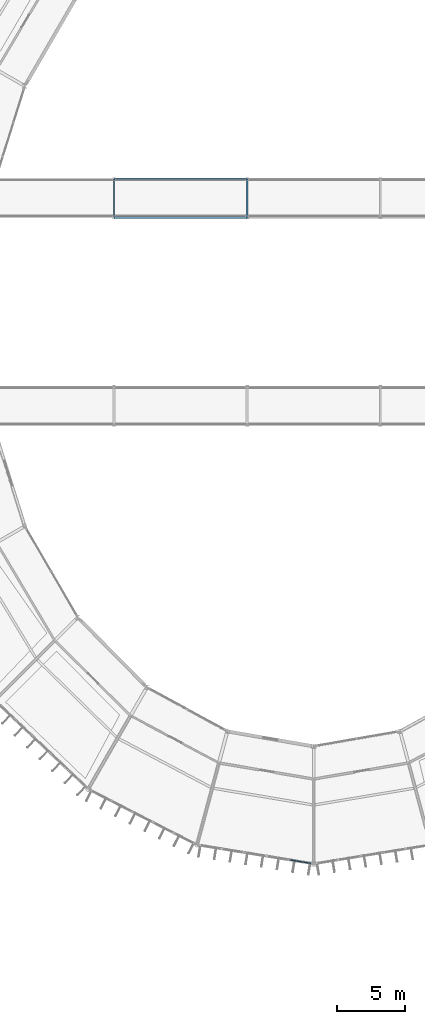
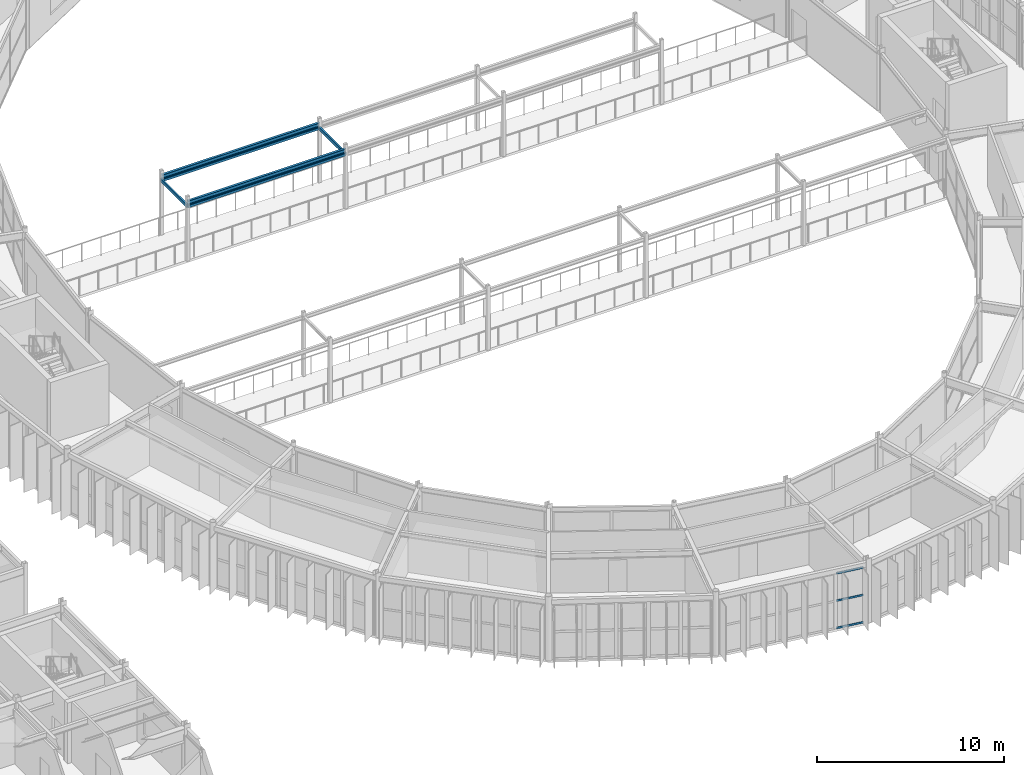
# One storey, part 47 of 148: 7 members, 2 beams, 1 element without a shape of its own.
"""IFC4 building model written with IfcOpenShell, lengths in metres."""

from ifc_helpers import new_model, si_unit, direction, frame, origin, origin_2d, place, context, subcontext, project, spatial, hollow_rectangle, i_section, extrude, material, material_profile, profile_set, type_object, element, aggregate, save


model = new_model("IFC4")

# Units and contexts
model_context = context("Model", 3, precision=1e-05, world=origin(), true_north=direction((0.0, 1.0)))
body_context = subcontext(model_context, "Body", "Model", "MODEL_VIEW")
ifc_project = project(units=[si_unit("LENGTHUNIT", "METRE"), si_unit("AREAUNIT", "SQUARE_METRE"), si_unit("VOLUMEUNIT", "CUBIC_METRE"), si_unit("PLANEANGLEUNIT", "RADIAN"), si_unit("MASSUNIT", "GRAM", prefix="KILO")], contexts=[model_context])

# Site, building, storey
site_placement = place(None, origin())
site = spatial("IfcSite", under=ifc_project, at=site_placement, CompositionType="ELEMENT")
building_placement = place(site_placement, origin())
building = spatial("IfcBuilding", under=site, at=building_placement, Name="Karori Crest Natural Sciences Institute", CompositionType="ELEMENT")
storey_placement = place(building_placement, frame((0.0, 0.0, 4.89990234375)))
storey = spatial("IfcBuildingStorey", under=building, at=storey_placement, Name="L01", CompositionType="ELEMENT", Elevation=4.89990234375)

# Beams
ifc_material_1 = material(Name="Structural steel AS/NZS 3679.1 Grade 350", Category="steel")
ifc_material_profile_1 = material_profile(ifc_material_1, i_section(OverallWidth=0.14599609375, OverallDepth=0.251953125, WebThickness=0.006103515625, FlangeThickness=0.008544921875, FilletRadius=0.009033203125, at=origin_2d()), Name="250UB31.4")
ifc_profile_set_1 = profile_set([ifc_material_profile_1], Name="Structural steel AS/NZS 3679.1 Grade 350")
beam_type = type_object("IfcBeamType", Name="BT-12", PredefinedType="BEAM", material=ifc_profile_set_1)
for number, where, z_axis, x_axis, name in (
    (1, (51.7900390625, 56.39990234375, 3.760009765625), (1.0, 0.0, 0.0), (0.0, 1.0, 0.0), "Beam B-0752"),
    (2, (51.7900390625, 59.199951171875, 3.760009765625), (1.0, 0.0, 0.0), (0.0, 1.0, 0.0), "Beam B-0753"),
):
    element("IfcBeam", number, at=place(storey_placement, frame(where, z_axis=z_axis, x_axis=x_axis)), inside=storey, type_object=beam_type, Name=name, PredefinedType="BEAM", context=body_context, shape_type="SweptSolid", body=[
        extrude(i_section(OverallWidth=0.14599609375, OverallDepth=0.251953125, WebThickness=0.006103515625, FlangeThickness=0.008544921875, FilletRadius=0.009033203125, at=origin_2d()), origin(), (0.0, 0.0, 1.0), 9.739990234375),
    ])

# Curtain wall, members
ifc_material_2 = material(Name="Anodised architectural aluminium 6063-T6", Category="aluminium")
curtain_wall_type = type_object("IfcCurtainWallType", Name="CWT-08", PredefinedType="NOTDEFINED", material=ifc_material_2)
curtain_wall_placement = place(storey_placement, origin())
curtain_wall = element("IfcCurtainWall", 3, at=curtain_wall_placement, inside=storey, type_object=curtain_wall_type, Name="Curtain wall CW-0055", PredefinedType="NOTDEFINED")
ifc_material_profile_2 = material_profile(ifc_material_2, hollow_rectangle(XDim=0.06005859375, YDim=0.1201171875, WallThickness=0.00390625, at=origin_2d()), Name="CWT120x60x4")
ifc_profile_set_2 = profile_set([ifc_material_profile_2], Name="Anodised architectural aluminium 6063-T6")
member_type_1 = type_object("IfcMemberType", Name="CWT-TR1", PredefinedType="USERDEFINED", material=ifc_profile_set_2)
member_1_placement = place(storey_placement, frame((66.17236328125, 9.136962890625, 0.030029296875), z_axis=(-0.986989891698, 0.160782317706, 0.0), x_axis=(-0.160782317706, -0.986989891698, 0.0)))
member_1 = element("IfcMember", 4, at=member_1_placement, type_object=member_type_1, Name="CW-0055 transom 1.1", ObjectType="TRANSOM", PredefinedType="USERDEFINED", context=body_context, shape_type="SweptSolid", body=[
    extrude(hollow_rectangle(XDim=0.06005859375, YDim=0.1201171875, WallThickness=0.00390625, at=origin_2d()), origin(), (0.0, 0.0, 1.0), 1.554931640625),
])
member_2_placement = place(storey_placement, frame((66.17236328125, 9.136962890625, 1.8125), z_axis=(-0.986989891698, 0.160782317706, 0.0), x_axis=(-0.160782317706, -0.986989891698, 0.0)))
member_2 = element("IfcMember", 5, at=member_2_placement, type_object=member_type_1, Name="CW-0055 transom 1.2", ObjectType="TRANSOM", PredefinedType="USERDEFINED", context=body_context, shape_type="SweptSolid", body=[
    extrude(hollow_rectangle(XDim=0.06005859375, YDim=0.1201171875, WallThickness=0.00390625, at=origin_2d()), origin(), (0.0, 0.0, 1.0), 1.554931640625),
])
member_3_placement = place(storey_placement, frame((66.17236328125, 9.136962890625, 3.59521484375), z_axis=(-0.986989891698, 0.160782317706, 0.0), x_axis=(-0.160782317706, -0.986989891698, 0.0)))
member_3 = element("IfcMember", 6, at=member_3_placement, type_object=member_type_1, Name="CW-0055 transom 1.3", ObjectType="TRANSOM", PredefinedType="USERDEFINED", context=body_context, shape_type="SweptSolid", body=[
    extrude(hollow_rectangle(XDim=0.06005859375, YDim=0.1201171875, WallThickness=0.00390625, at=origin_2d()), origin(), (0.0, 0.0, 1.0), 1.554931640625),
])
aggregate(curtain_wall, [member_1, member_2, member_3])

# Members
ifc_material_3 = material(Name="Hollow structural steel AS/NZS 1163 Grade C350", Category="steel")
ifc_material_profile_3 = material_profile(ifc_material_3, hollow_rectangle(XDim=0.14990234375, YDim=0.14990234375, WallThickness=0.009033203125, at=origin_2d()), Name="SHS150x150x9")
ifc_profile_set_3 = profile_set([ifc_material_profile_3], Name="Hollow structural steel AS/NZS 1163 Grade C350")
member_type_2 = type_object("IfcMemberType", Name="MT-13", PredefinedType="CHORD", material=ifc_profile_set_3)
for number, where, z_axis, x_axis, name in (
    (7, (51.7900390625, 56.39990234375, 3.52001953125), (1.0, 0.0, 0.0), (0.0, 1.0, 0.0), "Member M-0231"),
    (8, (51.7900390625, 59.199951171875, 3.52001953125), (1.0, 0.0, 0.0), (0.0, 1.0, 0.0), "Member M-0232"),
):
    element("IfcMember", number, at=place(storey_placement, frame(where, z_axis=z_axis, x_axis=x_axis)), inside=storey, type_object=member_type_2, Name=name, PredefinedType="CHORD", context=body_context, shape_type="SweptSolid", body=[
        extrude(hollow_rectangle(XDim=0.14990234375, YDim=0.14990234375, WallThickness=0.009033203125, at=origin_2d()), origin(), (0.0, 0.0, 1.0), 9.739990234375),
    ])
ifc_material_profile_4 = material_profile(ifc_material_3, hollow_rectangle(XDim=0.10009765625, YDim=0.199951171875, WallThickness=0.008056640625, at=origin_2d()), Name="RHS200x100x8")
ifc_profile_set_4 = profile_set([ifc_material_profile_4], Name="Hollow structural steel AS/NZS 1163 Grade C350")
member_type_3 = type_object("IfcMemberType", Name="MT-14", PredefinedType="CHORD", material=ifc_profile_set_4)
for number, where, z_axis, x_axis, name in (
    (9, (51.7900390625, 56.39990234375, 3.52001953125), (0.0, 1.0, 0.0), (-1.0, 0.0, 0.0), "Member M-0237"),
    (10, (61.530029296875, 56.39990234375, 3.52001953125), (0.0, 1.0, 0.0), (-1.0, 0.0, 0.0), "Member M-0238"),
):
    element("IfcMember", number, at=place(storey_placement, frame(where, z_axis=z_axis, x_axis=x_axis)), inside=storey, type_object=member_type_3, Name=name, PredefinedType="CHORD", context=body_context, shape_type="SweptSolid", body=[
        extrude(hollow_rectangle(XDim=0.10009765625, YDim=0.199951171875, WallThickness=0.008056640625, at=origin_2d()), origin(), (0.0, 0.0, 1.0), 2.800048828125),
    ])

save(model, "model.ifc")
